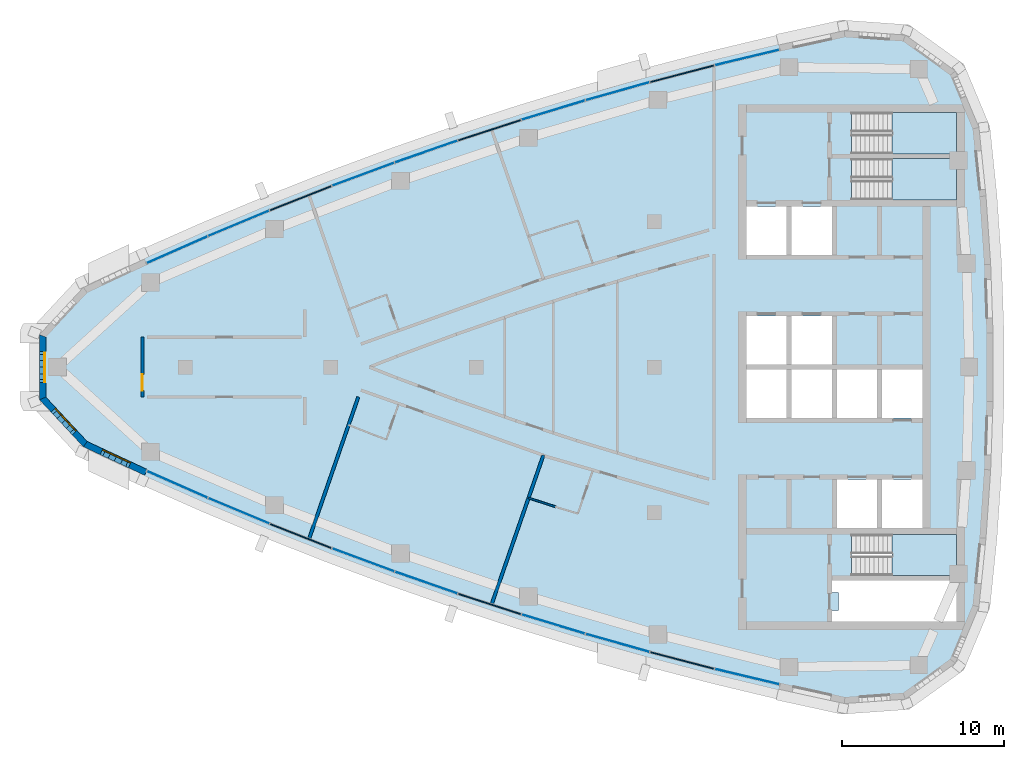
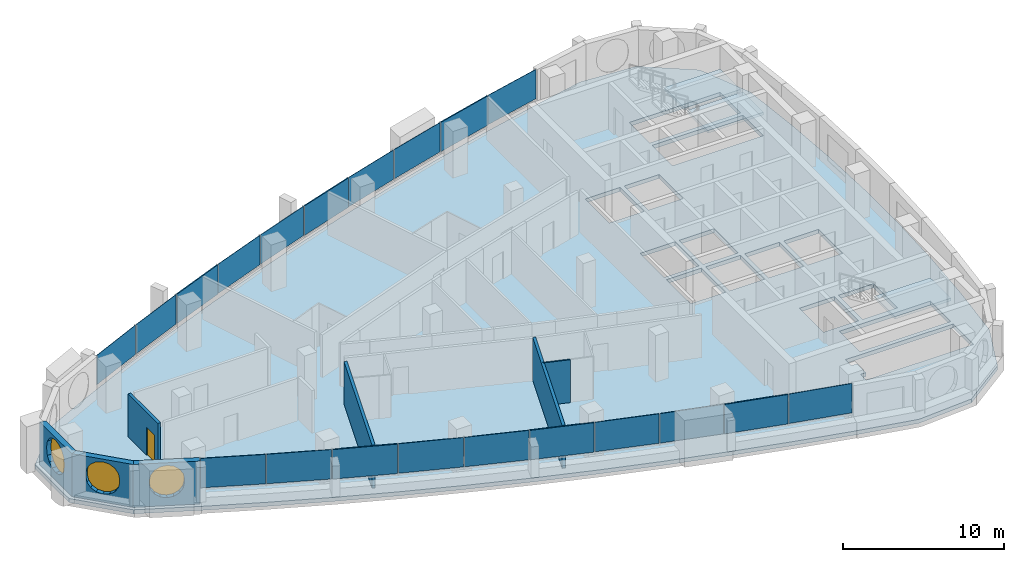
# One storey, part 6 of 14: 20 plates, 7 walls, 4 slabs, 3 windows, 1 door, 5 openings, 13 elements without a shape of their own.
"""IFC4 building model written with IfcOpenShell, lengths in metres."""

from ifc_helpers import new_model, si_unit, direction, frame, frame_2d, origin, origin_2d, place, context, subcontext, project, spatial, polyline, rectangle, outline, extrude, material, layer, layer_set, type_object, element, fill, aggregate, save


model = new_model("IFC4")

# Units and contexts
model_context = context("Model", 3, precision=1e-05, world=origin(), true_north=direction((0.0, 1.0)))
body_context = subcontext(model_context, "Body", "Model", "MODEL_VIEW")
ifc_project = project(units=[si_unit("LENGTHUNIT", "METRE"), si_unit("AREAUNIT", "SQUARE_METRE"), si_unit("VOLUMEUNIT", "CUBIC_METRE"), si_unit("PLANEANGLEUNIT", "RADIAN"), si_unit("MASSUNIT", "GRAM", prefix="KILO")], contexts=[model_context])

# Site, building, storey
site_placement = place(None, origin())
site = spatial("IfcSite", under=ifc_project, at=site_placement, CompositionType="ELEMENT")
building_placement = place(site_placement, origin())
building = spatial("IfcBuilding", under=site, at=building_placement, Name="Ostrand Prow Hotel Tower", CompositionType="ELEMENT")
storey_placement = place(building_placement, frame((0.0, 0.0, 275.0)))
storey = spatial("IfcBuildingStorey", under=building, at=storey_placement, Name="L69", CompositionType="ELEMENT", Elevation=275.0)

# Curtain wall, plates
ifc_material_1 = material(Name="Insulated glass in bronze anodised frame", Category="glass")
ifc_layer_1 = layer(ifc_material_1, 0.199951171875)
ifc_layer_set_1 = layer_set([ifc_layer_1], Name="Insulated glass in bronze anodised frame")
curtain_wall_type = type_object("IfcCurtainWallType", Name="Strip curtain wall, fritted glass over bronze spandrel", PredefinedType="NOTDEFINED", material=ifc_layer_set_1)
curtain_wall_1_placement = place(storey_placement, origin())
curtain_wall_1 = element("IfcCurtainWall", 1, at=curtain_wall_1_placement, inside=storey, type_object=curtain_wall_type, Name="CW1 run CWS1", PredefinedType="NOTDEFINED")
ifc_material_2 = material(Name="Ceramic-fritted glass", Category="glass")
ifc_layer_2 = layer(ifc_material_2, 0.031982421875)
ifc_layer_set_2 = layer_set([ifc_layer_2], Name="Ceramic-fritted glass")
plate_type_1 = type_object("IfcPlateType", Name="Dot-fritted ceramic glass unit 32 mm", PredefinedType="CURTAIN_PANEL", material=ifc_layer_set_2)
plate_1_placement = place(storey_placement, frame((15.493408203125, -7.259765625, 1.02001953125), z_axis=(0.0, 0.0, 1.0), x_axis=(0.914785615941, -0.403939694592, 0.0)))
plate_1 = element("IfcPlate", 2, at=plate_1_placement, type_object=plate_type_1, Name="CW1 PN-D panel 1.2", PredefinedType="CURTAIN_PANEL", context=body_context, shape_type="SweptSolid", body=[
    extrude(rectangle(XDim=4.079833984375, YDim=0.031982421875, at=origin_2d()), origin(), (0.0, 0.0, 1.0), 2.22998046875),
])
plate_2_placement = place(storey_placement, frame((19.297119140625, -8.893798828125, 1.02001953125), z_axis=(0.0, 0.0, 1.0), x_axis=(0.922719840955, -0.385471263659, 0.0)))
plate_2 = element("IfcPlate", 3, at=plate_2_placement, type_object=plate_type_1, Name="CW1 PN-D panel 2.2", PredefinedType="CURTAIN_PANEL", context=body_context, shape_type="SweptSolid", body=[
    extrude(rectangle(XDim=4.079833984375, YDim=0.031982421875, at=origin_2d()), origin(), (0.0, 0.0, 1.0), 2.22998046875),
])
aggregate(curtain_wall_1, [plate_1, plate_2])

# Curtain wall, plate
curtain_wall_2_placement = place(storey_placement, origin())
curtain_wall_2 = element("IfcCurtainWall", 4, at=curtain_wall_2_placement, inside=storey, type_object=curtain_wall_type, Name="CW1 run CWS2", PredefinedType="NOTDEFINED")
plate_3_placement = place(storey_placement, frame((26.99853515625, -11.930908203125, 1.02001953125), z_axis=(0.0, 0.0, 1.0), x_axis=(0.937468017947, -0.348071422738, 0.0)))
plate_3 = element("IfcPlate", 5, at=plate_3_placement, type_object=plate_type_1, Name="CW1 PN-D panel 2.2", PredefinedType="CURTAIN_PANEL", context=body_context, shape_type="SweptSolid", body=[
    extrude(rectangle(XDim=4.079833984375, YDim=0.031982421875, at=origin_2d()), origin(), (0.0, 0.0, 1.0), 2.22998046875),
])

curtain_wall_3_placement = place(storey_placement, origin())
curtain_wall_3 = element("IfcCurtainWall", 6, at=curtain_wall_3_placement, inside=storey, type_object=curtain_wall_type, Name="CW1 run CWS3", PredefinedType="NOTDEFINED")
plate_4_placement = place(storey_placement, frame((30.8935546875, -13.33251953125, 1.02001953125), z_axis=(0.0, 0.0, 1.0), x_axis=(0.944274730614, -0.329158370885, 0.0)))
plate_4 = element("IfcPlate", 7, at=plate_4_placement, type_object=plate_type_1, Name="CW1 PN-D panel 1.2", PredefinedType="CURTAIN_PANEL", context=body_context, shape_type="SweptSolid", body=[
    extrude(rectangle(XDim=4.079833984375, YDim=0.031982421875, at=origin_2d()), origin(), (0.0, 0.0, 1.0), 2.22998046875),
])

# Curtain wall, plates
curtain_wall_4_placement = place(storey_placement, origin())
curtain_wall_4 = element("IfcCurtainWall", 8, at=curtain_wall_4_placement, inside=storey, type_object=curtain_wall_type, Name="CW1 run CWS4", PredefinedType="NOTDEFINED")
plate_5_placement = place(storey_placement, frame((38.76416015625, -15.89990234375, 1.02001953125), z_axis=(0.0, 0.0, 1.0), x_axis=(0.956742015769, -0.290937648411, 0.0)))
plate_5 = element("IfcPlate", 9, at=plate_5_placement, type_object=plate_type_1, Name="CW1 PN-D panel 1.2", PredefinedType="CURTAIN_PANEL", context=body_context, shape_type="SweptSolid", body=[
    extrude(rectangle(XDim=4.079833984375, YDim=0.031982421875, at=origin_2d()), origin(), (0.0, 0.0, 1.0), 2.22998046875),
])
plate_6_placement = place(storey_placement, frame((42.736572265625, -17.064453125, 1.02001953125), z_axis=(0.0, 0.0, 1.0), x_axis=(0.962396468548, -0.271648738865, 0.0)))
plate_6 = element("IfcPlate", 10, at=plate_6_placement, type_object=plate_type_1, Name="CW1 PN-D panel 2.2", PredefinedType="CURTAIN_PANEL", context=body_context, shape_type="SweptSolid", body=[
    extrude(rectangle(XDim=4.079833984375, YDim=0.031982421875, at=origin_2d()), origin(), (0.0, 0.0, 1.0), 2.22998046875),
])
aggregate(curtain_wall_4, [plate_5, plate_6])

# Curtain wall, plate
curtain_wall_5_placement = place(storey_placement, origin())
curtain_wall_5 = element("IfcCurtainWall", 11, at=curtain_wall_5_placement, inside=storey, type_object=curtain_wall_type, Name="CW1 run CWS5", PredefinedType="NOTDEFINED")
plate_7_placement = place(storey_placement, frame((50.74755859375, -19.152587890625, 1.02001953125), z_axis=(0.0, 0.0, 1.0), x_axis=(0.972537533869, -0.232746096028, 0.0)))
plate_7 = element("IfcPlate", 12, at=plate_7_placement, type_object=plate_type_1, Name="CW1 PN-D panel 2.2", PredefinedType="CURTAIN_PANEL", context=body_context, shape_type="SweptSolid", body=[
    extrude(rectangle(XDim=4.079833984375, YDim=0.031982421875, at=origin_2d()), origin(), (0.0, 0.0, 1.0), 2.22998046875),
])

curtain_wall_6_placement = place(storey_placement, origin())
curtain_wall_6 = element("IfcCurtainWall", 13, at=curtain_wall_6_placement, inside=storey, type_object=curtain_wall_type, Name="CW1 run CWN1", PredefinedType="NOTDEFINED")
plate_8_placement = place(storey_placement, frame((50.74755859375, 19.152587890625, 1.02001953125), z_axis=(0.0, 0.0, 1.0), x_axis=(-0.972537533869, -0.232746096028, 0.0)))
plate_8 = element("IfcPlate", 14, at=plate_8_placement, type_object=plate_type_1, Name="CW1 PN-D panel 1.2", PredefinedType="CURTAIN_PANEL", context=body_context, shape_type="SweptSolid", body=[
    extrude(rectangle(XDim=4.079833984375, YDim=0.031982421875, at=origin_2d()), origin(), (0.0, 0.0, 1.0), 2.22998046875),
])

# Curtain wall, plates
curtain_wall_7_placement = place(storey_placement, origin())
curtain_wall_7 = element("IfcCurtainWall", 15, at=curtain_wall_7_placement, inside=storey, type_object=curtain_wall_type, Name="CW1 run CWN2", PredefinedType="NOTDEFINED")
plate_9_placement = place(storey_placement, frame((42.736572265625, 17.064453125, 1.02001953125), z_axis=(0.0, 0.0, 1.0), x_axis=(-0.962396468548, -0.271648738865, 0.0)))
plate_9 = element("IfcPlate", 16, at=plate_9_placement, type_object=plate_type_1, Name="CW1 PN-D panel 1.2", PredefinedType="CURTAIN_PANEL", context=body_context, shape_type="SweptSolid", body=[
    extrude(rectangle(XDim=4.079833984375, YDim=0.031982421875, at=origin_2d()), origin(), (0.0, 0.0, 1.0), 2.22998046875),
])
plate_10_placement = place(storey_placement, frame((38.76416015625, 15.89990234375, 1.02001953125), z_axis=(0.0, 0.0, 1.0), x_axis=(-0.956742015769, -0.290937648411, 0.0)))
plate_10 = element("IfcPlate", 17, at=plate_10_placement, type_object=plate_type_1, Name="CW1 PN-D panel 2.2", PredefinedType="CURTAIN_PANEL", context=body_context, shape_type="SweptSolid", body=[
    extrude(rectangle(XDim=4.079833984375, YDim=0.031982421875, at=origin_2d()), origin(), (0.0, 0.0, 1.0), 2.22998046875),
])
aggregate(curtain_wall_7, [plate_9, plate_10])

# Curtain wall, plate
curtain_wall_8_placement = place(storey_placement, origin())
curtain_wall_8 = element("IfcCurtainWall", 18, at=curtain_wall_8_placement, inside=storey, type_object=curtain_wall_type, Name="CW1 run CWN3", PredefinedType="NOTDEFINED")
plate_11_placement = place(storey_placement, frame((30.8935546875, 13.33251953125, 1.02001953125), z_axis=(0.0, 0.0, 1.0), x_axis=(-0.944274730614, -0.329158370885, 0.0)))
plate_11 = element("IfcPlate", 19, at=plate_11_placement, type_object=plate_type_1, Name="CW1 PN-D panel 2.2", PredefinedType="CURTAIN_PANEL", context=body_context, shape_type="SweptSolid", body=[
    extrude(rectangle(XDim=4.079833984375, YDim=0.031982421875, at=origin_2d()), origin(), (0.0, 0.0, 1.0), 2.22998046875),
])

curtain_wall_9_placement = place(storey_placement, origin())
curtain_wall_9 = element("IfcCurtainWall", 20, at=curtain_wall_9_placement, inside=storey, type_object=curtain_wall_type, Name="CW1 run CWN4", PredefinedType="NOTDEFINED")
plate_12_placement = place(storey_placement, frame((26.99853515625, 11.930908203125, 1.02001953125), z_axis=(0.0, 0.0, 1.0), x_axis=(-0.937468017947, -0.348071422738, 0.0)))
plate_12 = element("IfcPlate", 21, at=plate_12_placement, type_object=plate_type_1, Name="CW1 PN-D panel 1.2", PredefinedType="CURTAIN_PANEL", context=body_context, shape_type="SweptSolid", body=[
    extrude(rectangle(XDim=4.079833984375, YDim=0.031982421875, at=origin_2d()), origin(), (0.0, 0.0, 1.0), 2.22998046875),
])

# Curtain wall, plates
curtain_wall_10_placement = place(storey_placement, origin())
curtain_wall_10 = element("IfcCurtainWall", 22, at=curtain_wall_10_placement, inside=storey, type_object=curtain_wall_type, Name="CW1 run CWN5", PredefinedType="NOTDEFINED")
plate_13_placement = place(storey_placement, frame((19.297119140625, 8.893798828125, 1.02001953125), z_axis=(0.0, 0.0, 1.0), x_axis=(-0.922719840955, -0.385471263659, 0.0)))
plate_13 = element("IfcPlate", 23, at=plate_13_placement, type_object=plate_type_1, Name="CW1 PN-D panel 1.2", PredefinedType="CURTAIN_PANEL", context=body_context, shape_type="SweptSolid", body=[
    extrude(rectangle(XDim=4.079833984375, YDim=0.031982421875, at=origin_2d()), origin(), (0.0, 0.0, 1.0), 2.22998046875),
])
plate_14_placement = place(storey_placement, frame((15.493408203125, 7.259765625, 1.02001953125), z_axis=(0.0, 0.0, 1.0), x_axis=(-0.914785615941, -0.403939694592, 0.0)))
plate_14 = element("IfcPlate", 24, at=plate_14_placement, type_object=plate_type_1, Name="CW1 PN-D panel 2.2", PredefinedType="CURTAIN_PANEL", context=body_context, shape_type="SweptSolid", body=[
    extrude(rectangle(XDim=4.079833984375, YDim=0.031982421875, at=origin_2d()), origin(), (0.0, 0.0, 1.0), 2.22998046875),
])
aggregate(curtain_wall_10, [plate_13, plate_14])

# Plate
ifc_material_3 = material(Name="Fritted glass in bronze vent frame", Category="glass")
ifc_layer_3 = layer(ifc_material_3, 0.080078125)
ifc_layer_set_3 = layer_set([ifc_layer_3], Name="Fritted glass in bronze vent frame")
plate_type_2 = type_object("IfcPlateType", Name="Operable vent panel 80 mm", PredefinedType="CURTAIN_PANEL", material=ifc_layer_set_3)
plate_15_placement = place(storey_placement, frame((23.132568359375, -10.450927734375, 1.02001953125), z_axis=(0.0, 0.0, 1.0), x_axis=(0.930281895249, -0.366845465248, 0.0)))
plate_15 = element("IfcPlate", 25, at=plate_15_placement, type_object=plate_type_2, Name="CW1 PN-O2 panel 1.2", PredefinedType="CURTAIN_PANEL", context=body_context, shape_type="SweptSolid", body=[
    extrude(rectangle(XDim=4.079833984375, YDim=0.080078125, at=origin_2d()), origin(), (0.0, 0.0, 1.0), 2.22998046875),
])

aggregate(curtain_wall_2, [plate_15, plate_3])

plate_16_placement = place(storey_placement, frame((34.81591796875, -14.65576171875, 1.02001953125), z_axis=(0.0, 0.0, 1.0), x_axis=(0.950700464612, -0.310110668289, 0.0)))
plate_16 = element("IfcPlate", 26, at=plate_16_placement, type_object=plate_type_2, Name="CW1 PN-O2 panel 2.2", PredefinedType="CURTAIN_PANEL", context=body_context, shape_type="SweptSolid", body=[
    extrude(rectangle(XDim=4.079833984375, YDim=0.080078125, at=origin_2d()), origin(), (0.0, 0.0, 1.0), 2.22998046875),
])

aggregate(curtain_wall_3, [plate_4, plate_16])

plate_17_placement = place(storey_placement, frame((46.731689453125, -18.148681640625, 1.02001953125), z_axis=(0.0, 0.0, 1.0), x_axis=(0.967662519855, -0.252248384867, 0.0)))
plate_17 = element("IfcPlate", 27, at=plate_17_placement, type_object=plate_type_2, Name="CW1 PN-O2 panel 1.2", PredefinedType="CURTAIN_PANEL", context=body_context, shape_type="SweptSolid", body=[
    extrude(rectangle(XDim=4.079833984375, YDim=0.080078125, at=origin_2d()), origin(), (0.0, 0.0, 1.0), 2.22998046875),
])

aggregate(curtain_wall_5, [plate_17, plate_7])

plate_18_placement = place(storey_placement, frame((46.731689453125, 18.148681640625, 1.02001953125), z_axis=(0.0, 0.0, 1.0), x_axis=(-0.967662519855, -0.252248384867, 0.0)))
plate_18 = element("IfcPlate", 28, at=plate_18_placement, type_object=plate_type_2, Name="CW1 PN-O2 panel 2.2", PredefinedType="CURTAIN_PANEL", context=body_context, shape_type="SweptSolid", body=[
    extrude(rectangle(XDim=4.079833984375, YDim=0.080078125, at=origin_2d()), origin(), (0.0, 0.0, 1.0), 2.22998046875),
])

aggregate(curtain_wall_6, [plate_8, plate_18])

plate_19_placement = place(storey_placement, frame((34.81591796875, 14.65576171875, 1.02001953125), z_axis=(0.0, 0.0, 1.0), x_axis=(-0.950700464612, -0.310110668289, 0.0)))
plate_19 = element("IfcPlate", 29, at=plate_19_placement, type_object=plate_type_2, Name="CW1 PN-O2 panel 1.2", PredefinedType="CURTAIN_PANEL", context=body_context, shape_type="SweptSolid", body=[
    extrude(rectangle(XDim=4.079833984375, YDim=0.080078125, at=origin_2d()), origin(), (0.0, 0.0, 1.0), 2.22998046875),
])

aggregate(curtain_wall_8, [plate_19, plate_11])

plate_20_placement = place(storey_placement, frame((23.132568359375, 10.450927734375, 1.02001953125), z_axis=(0.0, 0.0, 1.0), x_axis=(-0.930281895249, -0.366845465248, 0.0)))
plate_20 = element("IfcPlate", 30, at=plate_20_placement, type_object=plate_type_2, Name="CW1 PN-O2 panel 2.2", PredefinedType="CURTAIN_PANEL", context=body_context, shape_type="SweptSolid", body=[
    extrude(rectangle(XDim=4.079833984375, YDim=0.080078125, at=origin_2d()), origin(), (0.0, 0.0, 1.0), 2.22998046875),
])

aggregate(curtain_wall_9, [plate_12, plate_20])

# Slab, opening
ifc_material_4 = material(Name="Concrete C40/50", Category="concrete")
ifc_layer_4 = layer(ifc_material_4, 0.300048828125)
ifc_layer_set_4 = layer_set([ifc_layer_4], Name="Concrete C40/50")
slab_type_1 = type_object("IfcSlabType", Name="PT flat plate 300 C40/50", PredefinedType="FLOOR", material=ifc_layer_set_4)
slab_1_placement = place(storey_placement, frame((0.0, 0.0, -0.300048828125)))
slab_1 = element("IfcSlab", 31, at=slab_1_placement, inside=storey, type_object=slab_type_1, Name="Floor slab L69-1", PredefinedType="FLOOR", context=body_context, shape_type="SweptSolid", body=[
    extrude(outline(polyline([(9.560791015625, 5.168212890625), (13.365478515625, 6.9404296875), (17.1630859375, 8.6171875), (20.993408203125, 10.21728515625), (24.855224609375, 11.740234375), (28.746826171875, 13.185302734375), (32.666748046875, 14.551513671875), (36.61328125, 15.8388671875), (40.5849609375, 17.046630859375), (44.580078125, 18.17431640625), (48.596923828125, 19.221435546875), (52.634033203125, 20.187744140625), (56.72265625, 21.07958984375), (60.634765625, 20.80029296875), (63.84765625, 18.49072265625), (65.35888671875, 14.87060546875), (65.796875, 10.611083984375), (66.0869140625, 6.37158203125), (66.23193359375, 2.124755859375), (66.23193359375, -2.124755859375), (66.0869140625, -6.37158203125), (65.796875, -10.611083984375), (65.35888671875, -14.87060546875), (63.84765625, -18.49072265625), (60.634765625, -20.80029296875), (56.72265625, -21.07958984375), (52.634033203125, -20.187744140625), (48.596923828125, -19.221435546875), (44.580078125, -18.17431640625), (40.5849609375, -17.046630859375), (36.61328125, -15.8388671875), (32.666748046875, -14.551513671875), (28.746826171875, -13.185302734375), (24.855224609375, -11.740234375), (20.993408203125, -10.21728515625), (17.1630859375, -8.6171875), (13.365478515625, -6.9404296875), (9.560791015625, -5.168212890625), (6.71484375, -2.112548828125), (6.71484375, 2.112548828125), (9.560791015625, 5.168212890625)]), holes=[polyline([(50.699951171875, 6.949951171875), (53.199951171875, 6.949951171875), (53.199951171875, 9.949951171875), (50.699951171875, 9.949951171875), (50.699951171875, 6.949951171875)]), polyline([(53.5, 6.949951171875), (56.0, 6.949951171875), (56.0, 9.949951171875), (53.5, 9.949951171875), (53.5, 6.949951171875)]), polyline([(50.699951171875, 0.14990234375), (53.199951171875, 0.14990234375), (53.199951171875, 3.14990234375), (50.699951171875, 3.14990234375), (50.699951171875, 0.14990234375)]), polyline([(53.5, 0.14990234375), (56.0, 0.14990234375), (56.0, 3.14990234375), (53.5, 3.14990234375), (53.5, 0.14990234375)]), polyline([(50.699951171875, -3.14990234375), (53.199951171875, -3.14990234375), (53.199951171875, -0.14990234375), (50.699951171875, -0.14990234375), (50.699951171875, -3.14990234375)]), polyline([(53.5, -3.14990234375), (56.0, -3.14990234375), (56.0, -0.14990234375), (53.5, -0.14990234375), (53.5, -3.14990234375)]), polyline([(56.300048828125, -3.14990234375), (58.800048828125, -3.14990234375), (58.800048828125, -0.14990234375), (56.300048828125, -0.14990234375), (56.300048828125, -3.14990234375)]), polyline([(59.10009765625, -3.14990234375), (61.60009765625, -3.14990234375), (61.60009765625, -0.14990234375), (59.10009765625, -0.14990234375), (59.10009765625, -3.14990234375)]), polyline([(56.300048828125, -9.949951171875), (58.800048828125, -9.949951171875), (58.800048828125, -6.949951171875), (56.300048828125, -6.949951171875), (56.300048828125, -9.949951171875)]), polyline([(59.10009765625, -9.949951171875), (61.60009765625, -9.949951171875), (61.60009765625, -6.949951171875), (59.10009765625, -6.949951171875), (59.10009765625, -9.949951171875)]), polyline([(57.200927734375, 10.35107421875), (57.200927734375, 12.89892578125), (63.718994140625, 12.89892578125), (63.718994140625, 10.35107421875), (57.200927734375, 10.35107421875)]), polyline([(57.200927734375, 13.200927734375), (57.200927734375, 15.7490234375), (63.718994140625, 15.7490234375), (63.718994140625, 13.200927734375), (57.200927734375, 13.200927734375)]), polyline([(57.200927734375, -12.89892578125), (57.200927734375, -10.35107421875), (63.718994140625, -10.35107421875), (63.718994140625, -12.89892578125), (57.200927734375, -12.89892578125)]), polyline([(56.0, -13.949951171875), (56.0, -13.199951171875), (63.719970703125, -13.199951171875), (63.719970703125, -15.75), (56.0, -15.75), (56.0, -15.050048828125), (56.39990234375, -15.050048828125), (56.39990234375, -13.949951171875), (56.0, -13.949951171875)])]), origin(), (0.0, 0.0, 1.0), 0.300048828125),
])
opening_1_placement = place(slab_1_placement, origin())
element("IfcOpeningElement", 32, at=opening_1_placement, cuts=slab_1, Name="Shaft opening 1", PredefinedType="OPENING", context=body_context, shape_type="SweptSolid", body=[
    extrude(outline(polyline([(56.0, -13.949951171875), (56.0, -13.199951171875), (63.719970703125, -13.199951171875), (63.719970703125, -15.75), (56.0, -15.75), (56.0, -15.050048828125), (56.39990234375, -15.050048828125), (56.39990234375, -13.949951171875), (56.0, -13.949951171875)])), origin(), (0.0, 0.0, 1.0), 0.300048828125),
])

# Stair, slab
ifc_material_5 = material(Name="Concrete C40/50", Category="concrete")
stair_type = type_object("IfcStairType", Name="Exit stair 1200 upper zone", PredefinedType="HALF_TURN_STAIR", material=ifc_material_5)
stair_1_placement = place(storey_placement, origin())
stair_1 = element("IfcStair", 33, at=stair_1_placement, inside=storey, type_object=stair_type, Name="L69 ST1C", PredefinedType="HALF_TURN_STAIR")
ifc_material_6 = material(Name="Concrete C40/50", Category="concrete")
ifc_layer_5 = layer(ifc_material_6, 0.199951171875)
ifc_layer_set_5 = layer_set([ifc_layer_5], Name="Concrete C40/50")
slab_type_2 = type_object("IfcSlabType", Name="Stair landing 200 concrete", PredefinedType="LANDING", material=ifc_layer_set_5)
slab_2_placement = place(storey_placement, frame((0.0, 0.0, 1.574951171875)))
slab_2 = element("IfcSlab", 34, at=slab_2_placement, type_object=slab_type_2, Name="ST1C landing 1", PredefinedType="LANDING", context=body_context, shape_type="SweptSolid", body=[
    extrude(outline(polyline([(59.719970703125, 10.35009765625), (63.719970703125, 10.35009765625), (63.719970703125, 12.89990234375), (59.719970703125, 12.89990234375), (59.719970703125, 10.35009765625)])), origin(), (0.0, 0.0, 1.0), 0.199951171875),
])
aggregate(stair_1, [slab_2])

stair_2_placement = place(storey_placement, origin())
stair_2 = element("IfcStair", 35, at=stair_2_placement, inside=storey, type_object=stair_type, Name="L69 ST3C", PredefinedType="HALF_TURN_STAIR")
slab_3_placement = place(storey_placement, frame((0.0, 0.0, 1.574951171875)))
slab_3 = element("IfcSlab", 36, at=slab_3_placement, type_object=slab_type_2, Name="ST3C landing 1", PredefinedType="LANDING", context=body_context, shape_type="SweptSolid", body=[
    extrude(outline(polyline([(59.719970703125, 13.199951171875), (63.719970703125, 13.199951171875), (63.719970703125, 15.75), (59.719970703125, 15.75), (59.719970703125, 13.199951171875)])), origin(), (0.0, 0.0, 1.0), 0.199951171875),
])
aggregate(stair_2, [slab_3])

stair_3_placement = place(storey_placement, origin())
stair_3 = element("IfcStair", 37, at=stair_3_placement, inside=storey, type_object=stair_type, Name="L69 ST2C", PredefinedType="HALF_TURN_STAIR")
slab_4_placement = place(storey_placement, frame((0.0, 0.0, 1.574951171875)))
slab_4 = element("IfcSlab", 38, at=slab_4_placement, type_object=slab_type_2, Name="ST2C landing 1", PredefinedType="LANDING", context=body_context, shape_type="SweptSolid", body=[
    extrude(outline(polyline([(59.719970703125, -12.89990234375), (63.719970703125, -12.89990234375), (63.719970703125, -10.35009765625), (59.719970703125, -10.35009765625), (59.719970703125, -12.89990234375)])), origin(), (0.0, 0.0, 1.0), 0.199951171875),
])
aggregate(stair_3, [slab_4])

# Walls
ifc_material_7 = material(Name="Plasterboard partition")
ifc_layer_6 = layer(ifc_material_7, 0.10009765625)
ifc_layer_set_6 = layer_set([ifc_layer_6], Name="Plasterboard partition")
wall_type_1 = type_object("IfcWallType", Name="Partition 100 bathroom wall", PredefinedType="PARTITIONING", material=ifc_layer_set_6)
wall_1_placement = place(storey_placement, frame((38.88232421875, -8.6376953125, 0.0), z_axis=(0.0, 0.0, 1.0), x_axis=(-0.950684866901, 0.31015848182, 0.0)))
element("IfcWall", 39, at=wall_1_placement, inside=storey, type_object=wall_type_1, Name="BATHROOM WALL", PredefinedType="PARTITIONING", context=body_context, shape_type="SweptSolid", body=[
    extrude(rectangle(XDim=1.739501953125, YDim=0.10009765625, at=frame_2d((0.86962890625, 0.0))), origin(), (0.0, 0.0, 1.0), 3.25),
])
ifc_material_8 = material(Name="Plasterboard partition")
ifc_layer_7 = layer(ifc_material_8, 0.199951171875)
ifc_layer_set_7 = layer_set([ifc_layer_7], Name="Plasterboard partition")
wall_type_2 = type_object("IfcWallType", Name="Partition 200 key partition", PredefinedType="PARTITIONING", material=ifc_layer_set_7)
wall_2_placement = place(storey_placement, frame((23.66845703125, -10.573486328125, 0.0), z_axis=(0.0, 0.0, 1.0), x_axis=(0.327714422317, 0.944776829418, 0.0)))
element("IfcWall", 40, at=wall_2_placement, inside=storey, type_object=wall_type_2, Name="KEY PARTITION", PredefinedType="PARTITIONING", context=body_context, shape_type="SweptSolid", body=[
    extrude(rectangle(XDim=9.2333984375, YDim=0.199951171875, at=frame_2d((4.61669921875, 0.0))), origin(), (0.0, 0.0, 1.0), 3.25),
])
wall_3_placement = place(storey_placement, frame((34.966796875, -14.6181640625, 0.0), z_axis=(0.0, 0.0, 1.0), x_axis=(0.327725028322, 0.94477315045, 0.0)))
element("IfcWall", 41, at=wall_3_placement, inside=storey, type_object=wall_type_2, Name="KEY PARTITION", PredefinedType="PARTITIONING", context=body_context, shape_type="SweptSolid", body=[
    extrude(rectangle(XDim=9.70166015625, YDim=0.199951171875, at=frame_2d((4.850830078125, 0.0))), origin(), (0.0, 0.0, 1.0), 3.25),
])

# Wall, opening, door
ifc_material_9 = material(Name="Plasterboard partition")
ifc_layer_8 = layer(ifc_material_9, 0.199951171875)
ifc_layer_set_8 = layer_set([ifc_layer_8], Name="Plasterboard partition")
wall_type_3 = type_object("IfcWallType", Name="Partition 200 lounge wall", PredefinedType="PARTITIONING", material=ifc_layer_set_8)
wall_4_placement = place(storey_placement, frame((13.337158203125, -1.85009765625, 0.0), z_axis=(0.0, 0.0, 1.0), x_axis=(0.0, 1.0, 0.0)))
wall_4 = element("IfcWall", 42, at=wall_4_placement, inside=storey, type_object=wall_type_3, Name="LOUNGE WALL", PredefinedType="PARTITIONING", context=body_context, shape_type="SweptSolid", body=[
    extrude(rectangle(XDim=3.7001953125, YDim=0.199951171875, at=frame_2d((1.85009765625, 0.0))), origin(), (0.0, 0.0, 1.0), 3.25),
])
opening_2_placement = place(wall_4_placement, frame((0.39990234375, 0.0, 0.0)))
opening_2 = element("IfcOpeningElement", 43, at=opening_2_placement, cuts=wall_4, Name="Opening D1", PredefinedType="OPENING", context=body_context, shape_type="SweptSolid", body=[
    extrude(rectangle(XDim=1.0, YDim=2.10009765625, at=frame_2d((0.5, 1.050048828125))), frame((0.0, 0.10986328125, 0.0), z_axis=(0.0, -1.0, 0.0), x_axis=(1.0, 0.0, 0.0)), (0.0, 0.0, 1.0), 0.219970703125),
])
ifc_material_10 = material(Name="Timber door leaf", Category="wood")
door_type = type_object("IfcDoorType", Name="Guest room door 1000", OperationType="SINGLE_SWING_LEFT", PredefinedType="DOOR", material=ifc_material_10)
door_placement = place(opening_2_placement, origin())
door = element("IfcDoor", 44, at=door_placement, inside=storey, type_object=door_type, Name="DOOR", OperationType="SINGLE_SWING_LEFT", OverallHeight=2.10009765625, OverallWidth=1.0, PredefinedType="DOOR", context=body_context, shape_type="SweptSolid", body=[
    extrude(rectangle(XDim=1.0, YDim=2.10009765625, at=frame_2d((0.5, 1.050048828125))), frame((0.0, 0.02490234375, 0.0), z_axis=(0.0, -1.0, 0.0), x_axis=(1.0, 0.0, 0.0)), (0.0, 0.0, 1.0), 0.050048828125),
])
fill(opening_2, door)

# Wall, opening, window
ifc_material_11 = material(Name="Precast concrete C40/50", Category="concrete")
ifc_layer_9 = layer(ifc_material_11, 0.39990234375)
ifc_layer_set_9 = layer_set([ifc_layer_9], Name="Precast concrete C40/50")
wall_type_4 = type_object("IfcWallType", Name="Stone-faced precast wall 400 mm", PredefinedType="NOTDEFINED", material=ifc_layer_set_9)
wall_5_placement = place(storey_placement, frame((7.167236328125, 1.9345703125, 0.0), z_axis=(0.0, 0.0, 1.0), x_axis=(0.0, -1.0, 0.0)))
wall_5 = element("IfcWall", 45, at=wall_5_placement, inside=storey, type_object=wall_type_4, Name="Stone-faced wall prow 3", PredefinedType="NOTDEFINED", context=body_context, shape_type="SweptSolid", body=[
    extrude(outline(polyline([(-0.07861328125, -0.199951171875), (3.94775390625, -0.199951171875), (3.79052734375, 0.199951171875), (0.07861328125, 0.199951171875), (-0.07861328125, -0.199951171875)])), origin(), (0.0, 0.0, 1.0), 3.25),
])
opening_3_placement = place(wall_5_placement, frame((0.834716796875, 0.0, 0.60009765625)))
opening_3 = element("IfcOpeningElement", 46, at=opening_3_placement, cuts=wall_5, Name="Opening WP2", PredefinedType="OPENING", context=body_context, shape_type="SweptSolid", body=[
    extrude(outline(polyline([(0.0, 1.35009765625), (0.083740234375, 1.77099609375), (0.322265625, 2.127685546875), (0.678955078125, 2.3662109375), (1.10009765625, 2.449951171875), (1.52099609375, 2.3662109375), (1.877685546875, 2.127685546875), (2.1162109375, 1.77099609375), (2.199951171875, 1.35009765625), (2.199951171875, 1.10009765625), (2.1162109375, 0.678955078125), (1.877685546875, 0.322265625), (1.52099609375, 0.083740234375), (1.10009765625, 0.0), (0.678955078125, 0.083740234375), (0.322265625, 0.322265625), (0.083740234375, 0.678955078125), (0.0, 1.099853515625), (0.0, 1.35009765625)])), frame((0.0, 0.2099609375, 0.0), z_axis=(0.0, -1.0, 0.0), x_axis=(1.0, 0.0, 0.0)), (0.0, 0.0, 1.0), 0.419921875),
])
ifc_material_12 = material(Name="Insulated glass in bronze frame", Category="glass")
window_type = type_object("IfcWindowType", Name="Round-ended prow lounge window 2200x2450", PartitioningType="SINGLE_PANEL", PredefinedType="WINDOW", material=ifc_material_12)
window_1_placement = place(opening_3_placement, origin())
window_1 = element("IfcWindow", 47, at=window_1_placement, inside=storey, type_object=window_type, Name="Window prow 3.1", OverallHeight=2.449951171875, OverallWidth=2.199951171875, PartitioningType="SINGLE_PANEL", PredefinedType="WINDOW", context=body_context, shape_type="SweptSolid", body=[
    extrude(outline(polyline([(0.0, 1.35009765625), (0.083740234375, 1.77099609375), (0.322265625, 2.127685546875), (0.678955078125, 2.3662109375), (1.10009765625, 2.449951171875), (1.52099609375, 2.3662109375), (1.877685546875, 2.127685546875), (2.1162109375, 1.77099609375), (2.199951171875, 1.35009765625), (2.199951171875, 1.10009765625), (2.1162109375, 0.678955078125), (1.877685546875, 0.322265625), (1.52099609375, 0.083740234375), (1.10009765625, 0.0), (0.678955078125, 0.083740234375), (0.322265625, 0.322265625), (0.083740234375, 0.678955078125), (0.0, 1.099853515625), (0.0, 1.35009765625)])), frame((0.0, 0.169921875, 0.0), z_axis=(0.0, -1.0, 0.0), x_axis=(1.0, 0.0, 0.0)), (0.0, 0.0, 1.0), 0.06005859375),
])
fill(opening_3, window_1)

wall_6_placement = place(storey_placement, frame((7.167236328125, -1.9345703125, 0.0), z_axis=(0.0, 0.0, 1.0), x_axis=(0.6815467277, -0.73177459505, 0.0)))
wall_6 = element("IfcWall", 48, at=wall_6_placement, inside=storey, type_object=wall_type_4, Name="Stone-faced wall prow 4", PredefinedType="NOTDEFINED", context=body_context, shape_type="SweptSolid", body=[
    extrude(outline(polyline([(-0.07861328125, -0.199951171875), (3.908203125, -0.199951171875), (3.830078125, 0.199951171875), (0.07861328125, 0.199951171875), (-0.07861328125, -0.199951171875)])), origin(), (0.0, 0.0, 1.0), 3.25),
])
opening_4_placement = place(wall_6_placement, frame((0.834716796875, 0.0, 0.60009765625)))
opening_4 = element("IfcOpeningElement", 49, at=opening_4_placement, cuts=wall_6, Name="Opening WP2", PredefinedType="OPENING", context=body_context, shape_type="SweptSolid", body=[
    extrude(outline(polyline([(0.0, 1.35009765625), (0.083740234375, 1.77099609375), (0.322265625, 2.127685546875), (0.678955078125, 2.3662109375), (1.10009765625, 2.449951171875), (1.52099609375, 2.3662109375), (1.877685546875, 2.127685546875), (2.1162109375, 1.77099609375), (2.199951171875, 1.35009765625), (2.199951171875, 1.10009765625), (2.1162109375, 0.678955078125), (1.877685546875, 0.322265625), (1.52099609375, 0.083740234375), (1.10009765625, 0.0), (0.678955078125, 0.083740234375), (0.322265625, 0.322265625), (0.083740234375, 0.678955078125), (0.0, 1.099853515625), (0.0, 1.35009765625)])), frame((0.0, 0.2099609375, 0.0), z_axis=(0.0, -1.0, 0.0), x_axis=(1.0, 0.0, 0.0)), (0.0, 0.0, 1.0), 0.419921875),
])
window_2_placement = place(opening_4_placement, origin())
window_2 = element("IfcWindow", 50, at=window_2_placement, inside=storey, type_object=window_type, Name="Window prow 4.1", OverallHeight=2.449951171875, OverallWidth=2.199951171875, PartitioningType="SINGLE_PANEL", PredefinedType="WINDOW", context=body_context, shape_type="SweptSolid", body=[
    extrude(outline(polyline([(0.0, 1.35009765625), (0.083740234375, 1.77099609375), (0.322265625, 2.127685546875), (0.678955078125, 2.3662109375), (1.10009765625, 2.449951171875), (1.52099609375, 2.3662109375), (1.877685546875, 2.127685546875), (2.1162109375, 1.77099609375), (2.199951171875, 1.35009765625), (2.199951171875, 1.10009765625), (2.1162109375, 0.678955078125), (1.877685546875, 0.322265625), (1.52099609375, 0.083740234375), (1.10009765625, 0.0), (0.678955078125, 0.083740234375), (0.322265625, 0.322265625), (0.083740234375, 0.678955078125), (0.0, 1.099853515625), (0.0, 1.35009765625)])), frame((0.0, 0.169921875, 0.0), z_axis=(0.0, -1.0, 0.0), x_axis=(1.0, 0.0, 0.0)), (0.0, 0.0, 1.0), 0.06005859375),
])
fill(opening_4, window_2)

wall_7_placement = place(storey_placement, frame((9.80419921875, -4.765869140625, 0.0), z_axis=(0.0, 0.0, 1.0), x_axis=(0.906485602396, -0.42223672584, 0.0)))
wall_7 = element("IfcWall", 51, at=wall_7_placement, inside=storey, type_object=wall_type_4, Name="Stone-faced wall prow 5", PredefinedType="NOTDEFINED", context=body_context, shape_type="SweptSolid", body=[
    extrude(outline(polyline([(-0.0390625, -0.199951171875), (4.1416015625, -0.199951171875), (4.1416015625, 0.199951171875), (0.0390625, 0.199951171875), (-0.0390625, -0.199951171875)])), origin(), (0.0, 0.0, 1.0), 3.25),
])
opening_5_placement = place(wall_7_placement, frame((0.970947265625, 0.0, 0.60009765625)))
opening_5 = element("IfcOpeningElement", 52, at=opening_5_placement, cuts=wall_7, Name="Opening WP2", PredefinedType="OPENING", context=body_context, shape_type="SweptSolid", body=[
    extrude(outline(polyline([(0.0, 1.35009765625), (0.083740234375, 1.77099609375), (0.322265625, 2.127685546875), (0.678955078125, 2.3662109375), (1.10009765625, 2.449951171875), (1.52099609375, 2.3662109375), (1.877685546875, 2.127685546875), (2.1162109375, 1.77099609375), (2.199951171875, 1.35009765625), (2.199951171875, 1.10009765625), (2.1162109375, 0.678955078125), (1.877685546875, 0.322265625), (1.52099609375, 0.083740234375), (1.10009765625, 0.0), (0.678955078125, 0.083740234375), (0.322265625, 0.322265625), (0.083740234375, 0.678955078125), (0.0, 1.099853515625), (0.0, 1.35009765625)])), frame((0.0, 0.2099609375, 0.0), z_axis=(0.0, -1.0, 0.0), x_axis=(1.0, 0.0, 0.0)), (0.0, 0.0, 1.0), 0.419921875),
])
window_3_placement = place(opening_5_placement, origin())
window_3 = element("IfcWindow", 53, at=window_3_placement, inside=storey, type_object=window_type, Name="Window prow 5.1", OverallHeight=2.449951171875, OverallWidth=2.199951171875, PartitioningType="SINGLE_PANEL", PredefinedType="WINDOW", context=body_context, shape_type="SweptSolid", body=[
    extrude(outline(polyline([(0.0, 1.35009765625), (0.083740234375, 1.77099609375), (0.322265625, 2.127685546875), (0.678955078125, 2.3662109375), (1.10009765625, 2.449951171875), (1.52099609375, 2.3662109375), (1.877685546875, 2.127685546875), (2.1162109375, 1.77099609375), (2.199951171875, 1.35009765625), (2.199951171875, 1.10009765625), (2.1162109375, 0.678955078125), (1.877685546875, 0.322265625), (1.52099609375, 0.083740234375), (1.10009765625, 0.0), (0.678955078125, 0.083740234375), (0.322265625, 0.322265625), (0.083740234375, 0.678955078125), (0.0, 1.099853515625), (0.0, 1.35009765625)])), frame((0.0, 0.169921875, 0.0), z_axis=(0.0, -1.0, 0.0), x_axis=(1.0, 0.0, 0.0)), (0.0, 0.0, 1.0), 0.06005859375),
])
fill(opening_5, window_3)

save(model, "model.ifc")
